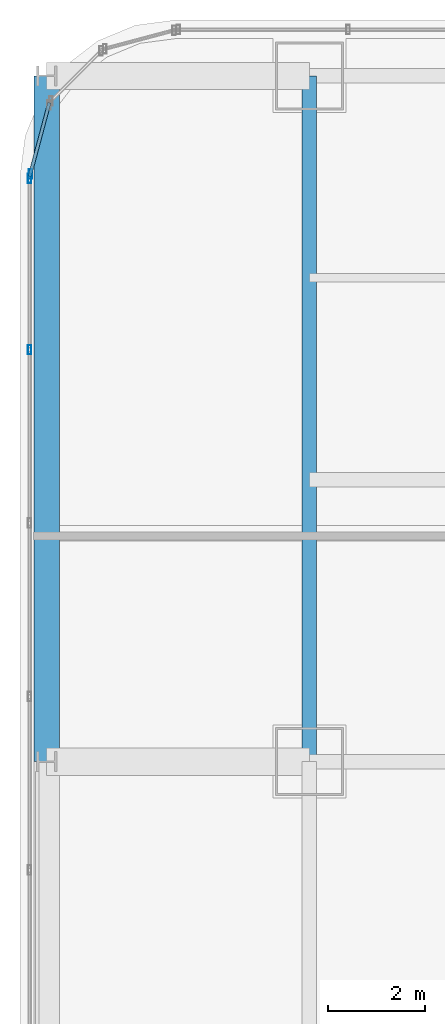
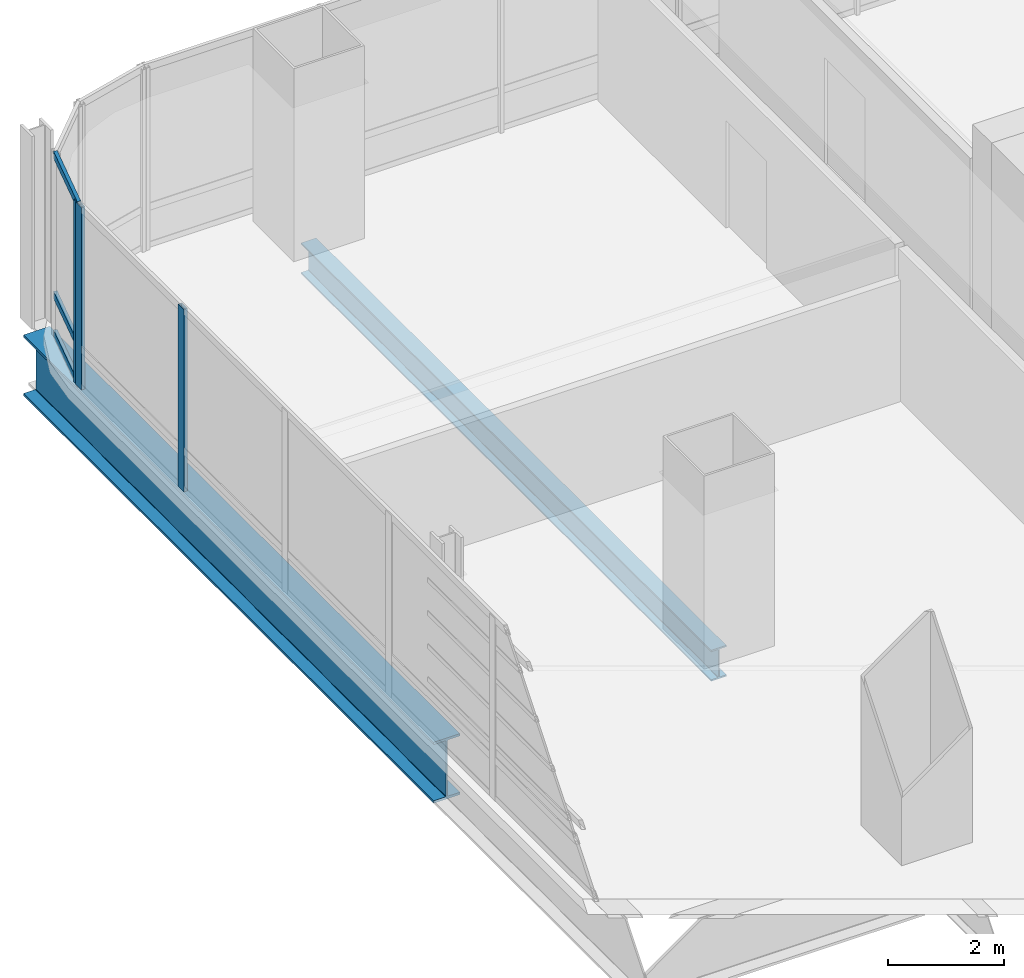
# One storey, part 18 of 37: 6 members, 2 beams, 2 elements without a shape of their own.
"""IFC4 building model written with IfcOpenShell, lengths in metres."""

from ifc_helpers import new_model, si_unit, direction, frame, origin, origin_2d, place, context, subcontext, project, spatial, hollow_rectangle, i_section, extrude, material, material_profile, profile_set, type_object, element, aggregate, save


model = new_model("IFC4")

# Units and contexts
model_context = context("Model", 3, precision=1e-05, world=origin(), true_north=direction((0.0, 1.0)))
body_context = subcontext(model_context, "Body", "Model", "MODEL_VIEW")
ifc_project = project(units=[si_unit("LENGTHUNIT", "METRE"), si_unit("AREAUNIT", "SQUARE_METRE"), si_unit("VOLUMEUNIT", "CUBIC_METRE"), si_unit("PLANEANGLEUNIT", "RADIAN"), si_unit("MASSUNIT", "GRAM", prefix="KILO")], contexts=[model_context])

# Site, building, storey
site_placement = place(None, origin())
site = spatial("IfcSite", under=ifc_project, at=site_placement, CompositionType="ELEMENT")
building_placement = place(site_placement, origin())
building = spatial("IfcBuilding", under=site, at=building_placement, Name="Punatoya Terracotta Tower", CompositionType="ELEMENT")
storey_placement = place(building_placement, frame((0.0, 0.0, 192.449951171875)))
storey = spatial("IfcBuildingStorey", under=building, at=storey_placement, Name="L45", CompositionType="ELEMENT", Elevation=192.449951171875)

# Beams
ifc_material_1 = material(Name="Steel S355", Category="steel")
ifc_material_profile_1 = material_profile(ifc_material_1, i_section(OverallWidth=0.300048828125, OverallDepth=0.64990234375, WebThickness=0.01611328125, FlangeThickness=0.031005859375, FilletRadius=0.01806640625, at=origin_2d()))
ifc_profile_set_1 = profile_set([ifc_material_profile_1], Name="Steel S355")
beam_type_1 = type_object("IfcBeamType", Name="BM-PRI-650", PredefinedType="BEAM", material=ifc_profile_set_1)
beam_1_placement = place(storey_placement, frame((-19.10009765625, 3.39990234375, -0.544921875), z_axis=(0.0, 1.0, 0.0), x_axis=(-1.0, 0.0, 0.0)))
element("IfcBeam", 1, at=beam_1_placement, inside=storey, type_object=beam_type_1, Name="BM-L45-RG-W3", PredefinedType="BEAM", context=body_context, shape_type="SweptSolid", body=[
    extrude(i_section(OverallWidth=0.300048828125, OverallDepth=0.64990234375, WebThickness=0.01611328125, FlangeThickness=0.031005859375, FilletRadius=0.01806640625, at=origin_2d()), origin(), (0.0, 0.0, 1.0), 14.10009765625),
])
ifc_material_2 = material(Name="Steel S460", Category="steel")
ifc_material_profile_2 = material_profile(ifc_material_2, i_section(OverallWidth=0.52001953125, OverallDepth=1.280029296875, WebThickness=0.031982421875, FlangeThickness=0.050048828125, FilletRadius=0.01806640625, at=origin_2d()))
ifc_profile_set_2 = profile_set([ifc_material_profile_2], Name="Steel S460")
beam_type_2 = type_object("IfcBeamType", Name="BM-TG-NCK", PredefinedType="BEAM", material=ifc_profile_set_2)
beam_2_placement = place(storey_placement, frame((-24.5, 3.39990234375, -0.85986328125), z_axis=(0.0, 1.0, 0.0), x_axis=(-1.0, 0.0, 0.0)))
element("IfcBeam", 2, at=beam_2_placement, inside=storey, type_object=beam_type_2, Name="BM-L45-PER-W3", PredefinedType="BEAM", context=body_context, shape_type="SweptSolid", body=[
    extrude(i_section(OverallWidth=0.52001953125, OverallDepth=1.280029296875, WebThickness=0.031982421875, FlangeThickness=0.050048828125, FilletRadius=0.01806640625, at=origin_2d()), origin(), (0.0, 0.0, 1.0), 14.10009765625),
])

# Curtain wall, member
ifc_material_3 = material(Name="Aluminium 6063-T6 + Double Low-E Glass", Category="aluminium")
curtain_wall_type = type_object("IfcCurtainWallType", Name="CW-M2", PredefinedType="NOTDEFINED", material=ifc_material_3)
curtain_wall_1_placement = place(storey_placement, origin())
curtain_wall_1 = element("IfcCurtainWall", 3, at=curtain_wall_1_placement, inside=storey, type_object=curtain_wall_type, Name="L45 Curtain Wall CW-L45-CRN12", PredefinedType="NOTDEFINED")
ifc_material_4 = material(Name="Aluminium 6063-T6", Category="aluminium")
ifc_material_profile_3 = material_profile(ifc_material_4, hollow_rectangle(XDim=0.072021484375, YDim=0.195068359375, WallThickness=0.00439453125, at=origin_2d()))
ifc_profile_set_3 = profile_set([ifc_material_profile_3], Name="Aluminium 6063-T6")
member_type_1 = type_object("IfcMemberType", Name="CW-MUL-M2", PredefinedType="MULLION", material=ifc_profile_set_3)
member_1_placement = place(storey_placement, frame((-24.83837890625, 15.48046875, 0.0), z_axis=(0.0, 0.0, 1.0), x_axis=(1.0, 0.0, 0.0)))
member_1 = element("IfcMember", 4, at=member_1_placement, type_object=member_type_1, Name="CW-L45-CRN12 Mullion 01", PredefinedType="MULLION", context=body_context, shape_type="SweptSolid", body=[
    extrude(hollow_rectangle(XDim=0.072021484375, YDim=0.195068359375, WallThickness=0.00439453125, at=origin_2d()), origin(), (0.0, 0.0, 1.0), 3.830078125),
])

# Curtain wall, members
curtain_wall_2_placement = place(storey_placement, origin())
curtain_wall_2 = element("IfcCurtainWall", 5, at=curtain_wall_2_placement, inside=storey, type_object=curtain_wall_type, Name="L45 Curtain Wall CW-L45-W13-1", PredefinedType="NOTDEFINED")
member_2_placement = place(storey_placement, frame((-24.85009765625, 15.391845703125, 0.0), z_axis=(0.0, 0.0, 1.0), x_axis=(1.0, 0.0, 0.0)))
member_2 = element("IfcMember", 6, at=member_2_placement, type_object=member_type_1, Name="CW-L45-W13-1 Mullion 00", PredefinedType="MULLION", context=body_context, shape_type="SweptSolid", body=[
    extrude(hollow_rectangle(XDim=0.072021484375, YDim=0.195068359375, WallThickness=0.00439453125, at=origin_2d()), origin(), (0.0, 0.0, 1.0), 3.830078125),
])
member_3_placement = place(storey_placement, frame((-24.85009765625, 11.869384765625, 0.0), z_axis=(0.0, 0.0, 1.0), x_axis=(1.0, 0.0, 0.0)))
member_3 = element("IfcMember", 7, at=member_3_placement, type_object=member_type_1, Name="CW-L45-W13-1 Mullion 01", PredefinedType="MULLION", context=body_context, shape_type="SweptSolid", body=[
    extrude(hollow_rectangle(XDim=0.072021484375, YDim=0.195068359375, WallThickness=0.00439453125, at=origin_2d()), origin(), (0.0, 0.0, 1.0), 3.830078125),
])
aggregate(curtain_wall_2, [member_2, member_3])

# Member
ifc_material_profile_4 = material_profile(ifc_material_4, hollow_rectangle(XDim=0.068115234375, YDim=0.14990234375, WallThickness=0.00390625, at=origin_2d()))
ifc_profile_set_4 = profile_set([ifc_material_profile_4], Name="Aluminium 6063-T6")
member_type_2 = type_object("IfcMemberType", Name="CW-TRN-TYP", PredefinedType="USERDEFINED", material=ifc_profile_set_4)
member_4_placement = place(storey_placement, frame((-24.446533203125, 16.94921875, 0.0400390625), z_axis=(-0.257847112249, -0.966185730957, 0.0), x_axis=(0.966185730957, -0.257847112249, 0.0)))
member_4 = element("IfcMember", 8, at=member_4_placement, type_object=member_type_2, Name="CW-L45-CRN12 Transom 1", ObjectType="TRANSOM", PredefinedType="USERDEFINED", context=body_context, shape_type="SweptSolid", body=[
    extrude(hollow_rectangle(XDim=0.068115234375, YDim=0.14990234375, WallThickness=0.00390625, at=origin_2d()), origin(), (0.0, 0.0, 1.0), 1.565185546875),
])

member_5_placement = place(storey_placement, frame((-24.446533203125, 16.94921875, 0.85009765625), z_axis=(-0.257847112249, -0.966185730957, 0.0), x_axis=(0.966185730957, -0.257847112249, 0.0)))
member_5 = element("IfcMember", 9, at=member_5_placement, type_object=member_type_2, Name="CW-L45-CRN12 Transom 2", ObjectType="TRANSOM", PredefinedType="USERDEFINED", context=body_context, shape_type="SweptSolid", body=[
    extrude(hollow_rectangle(XDim=0.068115234375, YDim=0.14990234375, WallThickness=0.00390625, at=origin_2d()), origin(), (0.0, 0.0, 1.0), 1.565185546875),
])

member_6_placement = place(storey_placement, frame((-24.446533203125, 16.94921875, 3.7900390625), z_axis=(-0.257847112249, -0.966185730957, 0.0), x_axis=(0.966185730957, -0.257847112249, 0.0)))
member_6 = element("IfcMember", 10, at=member_6_placement, type_object=member_type_2, Name="CW-L45-CRN12 Transom 3", ObjectType="TRANSOM", PredefinedType="USERDEFINED", context=body_context, shape_type="SweptSolid", body=[
    extrude(hollow_rectangle(XDim=0.068115234375, YDim=0.14990234375, WallThickness=0.00390625, at=origin_2d()), origin(), (0.0, 0.0, 1.0), 1.565185546875),
])

aggregate(curtain_wall_1, [member_1, member_4, member_5, member_6])

save(model, "model.ifc")
